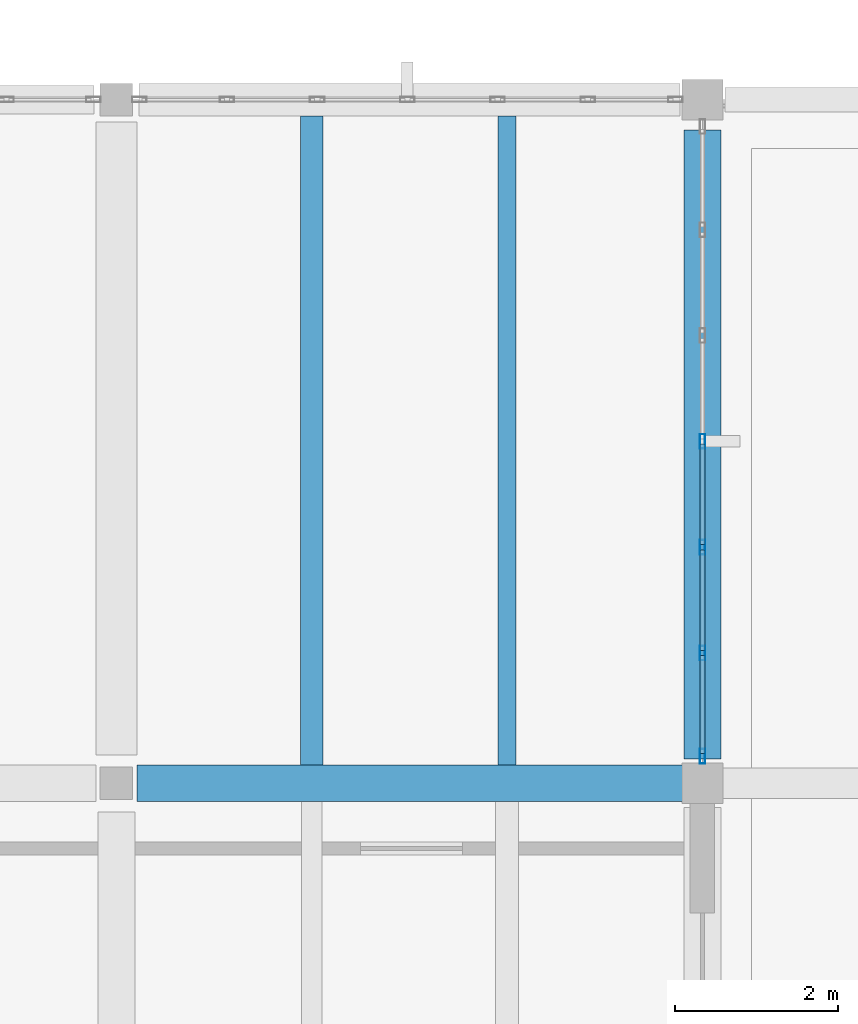
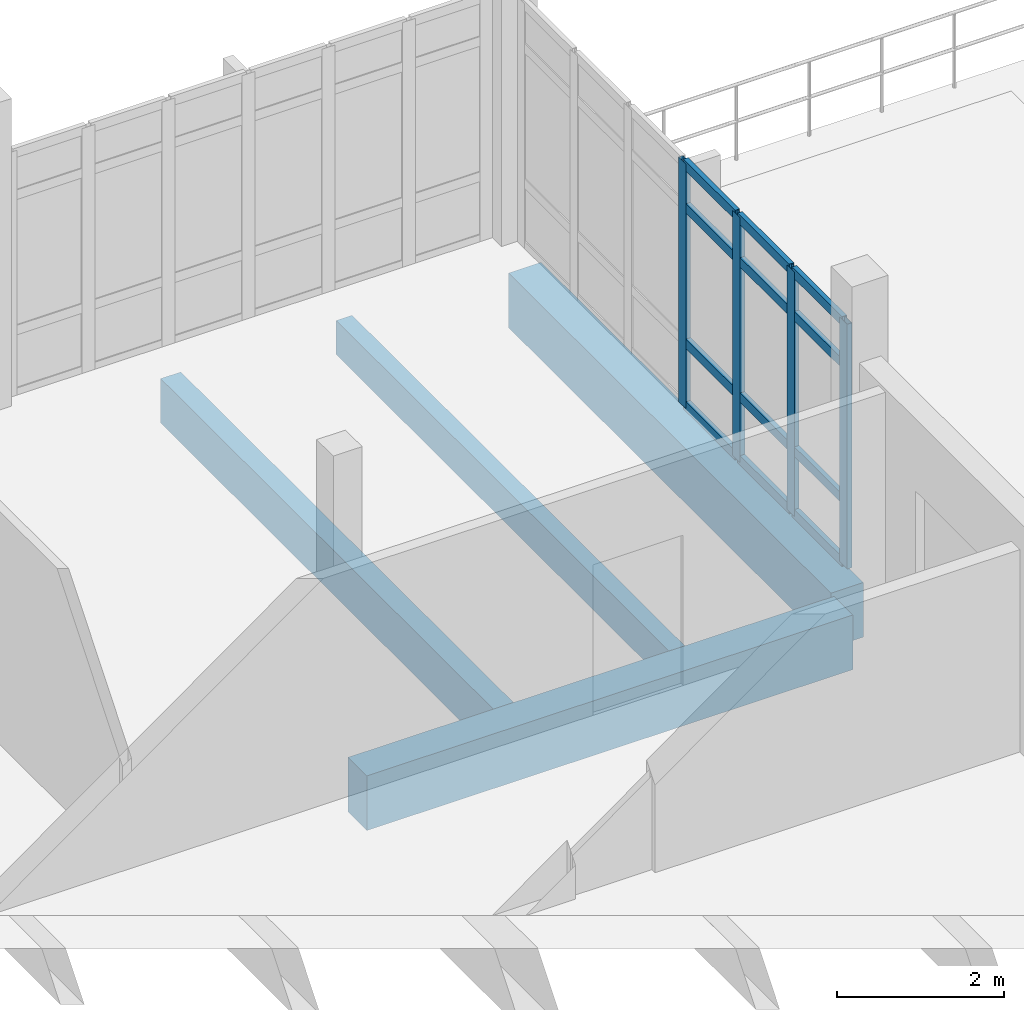
# One storey, part 23 of 41: 16 members, 4 beams, 1 element without a shape of its own.
"""IFC4 building model written with IfcOpenShell, lengths in metres."""

from ifc_helpers import new_model, si_unit, direction, frame, origin, origin_2d, place, context, subcontext, project, spatial, rectangle, hollow_rectangle, extrude, material, material_profile, profile_set, type_object, element, aggregate, save


model = new_model("IFC4")

# Units and contexts
model_context = context("Model", 3, precision=1e-05, world=origin(), true_north=direction((0.0, 1.0)))
body_context = subcontext(model_context, "Body", "Model", "MODEL_VIEW")
ifc_project = project(units=[si_unit("LENGTHUNIT", "METRE"), si_unit("AREAUNIT", "SQUARE_METRE"), si_unit("VOLUMEUNIT", "CUBIC_METRE"), si_unit("PLANEANGLEUNIT", "RADIAN"), si_unit("MASSUNIT", "GRAM", prefix="KILO")], contexts=[model_context])

# Site, building, storey
site_placement = place(None, origin())
site = spatial("IfcSite", under=ifc_project, at=site_placement, CompositionType="ELEMENT")
building_placement = place(site_placement, origin())
building = spatial("IfcBuilding", under=site, at=building_placement, Name="Kalluvel Institute of Natural Sciences", CompositionType="ELEMENT")
storey_placement = place(building_placement, frame((0.0, 0.0, 32.39990234375)))
storey = spatial("IfcBuildingStorey", under=building, at=storey_placement, Name="L07", CompositionType="ELEMENT", Elevation=32.39990234375)

# Beams
ifc_material_1 = material(Name="Concrete M40", Category="concrete")
ifc_material_profile_1 = material_profile(ifc_material_1, rectangle(XDim=0.449951171875, YDim=0.800048828125, at=origin_2d()), Name="RCB 450x800")
ifc_profile_set_1 = profile_set([ifc_material_profile_1], Name="Concrete M40")
beam_type_1 = type_object("IfcBeamType", Name="BM-RC450x800", PredefinedType="BEAM", material=ifc_profile_set_1)
beam_1_placement = place(storey_placement, frame((93.449951171875, 119.60009765625, -0.719970703125), z_axis=(1.0, 0.0, 0.0), x_axis=(0.0, 1.0, 0.0)))
element("IfcBeam", 1, at=beam_1_placement, inside=storey, type_object=beam_type_1, Name="L07 girder GIR-L07-EW-X932-Y1196", PredefinedType="BEAM", context=body_context, shape_type="SweptSolid", body=[
    extrude(rectangle(XDim=0.449951171875, YDim=0.800048828125, at=origin_2d()), origin(), (0.0, 0.0, 1.0), 6.72509765625),
])
beam_2_placement = place(storey_placement, frame((100.39990234375, 119.89990234375, -0.719970703125), z_axis=(0.0, 1.0, 0.0), x_axis=(-1.0, 0.0, 0.0)))
element("IfcBeam", 2, at=beam_2_placement, inside=storey, type_object=beam_type_1, Name="L07 girder GIR-L07-NS-X1004-Y1196", PredefinedType="BEAM", context=body_context, shape_type="SweptSolid", body=[
    extrude(rectangle(XDim=0.449951171875, YDim=0.800048828125, at=origin_2d()), origin(), (0.0, 0.0, 1.0), 7.72509765625),
])

# Curtain wall, members
ifc_material_2 = material(Name="Aluminium AW-6063 T6", Category="aluminium")
curtain_wall_type = type_object("IfcCurtainWallType", Name="CW-WET-45", PredefinedType="USERDEFINED", material=ifc_material_2)
curtain_wall_placement = place(storey_placement, origin())
curtain_wall = element("IfcCurtainWall", 3, at=curtain_wall_placement, inside=storey, type_object=curtain_wall_type, Name="L07 Gothic lancet curtain wall CWA-L07-X1004-Y1199", ObjectType="UNITISED LANCET FACADE", PredefinedType="USERDEFINED")
ifc_material_profile_2 = material_profile(ifc_material_2, hollow_rectangle(XDim=0.06494140625, YDim=0.179931640625, WallThickness=0.00439453125, at=origin_2d()), Name="CWM 65x180")
ifc_profile_set_2 = profile_set([ifc_material_profile_2], Name="Aluminium AW-6063 T6")
member_type_1 = type_object("IfcMemberType", Name="CWM-65x180", PredefinedType="MULLION", material=ifc_profile_set_2)
member_1_placement = place(storey_placement, frame((100.39990234375, 119.9326171875, 0.0), z_axis=(0.0, 0.0, 1.0), x_axis=(-1.0, 0.0, 0.0)))
member_1 = element("IfcMember", 4, at=member_1_placement, type_object=member_type_1, Name="CW-01 mullion 1", PredefinedType="MULLION", context=body_context, shape_type="SweptSolid", body=[
    extrude(hollow_rectangle(XDim=0.06494140625, YDim=0.179931640625, WallThickness=0.00439453125, at=origin_2d()), origin(), (0.0, 0.0, 1.0), 3.580078125),
])
member_2_placement = place(storey_placement, frame((100.39990234375, 121.199951171875, 0.0), z_axis=(0.0, 0.0, 1.0), x_axis=(-1.0, 0.0, 0.0)))
member_2 = element("IfcMember", 5, at=member_2_placement, type_object=member_type_1, Name="CW-01 mullion 2", PredefinedType="MULLION", context=body_context, shape_type="SweptSolid", body=[
    extrude(hollow_rectangle(XDim=0.06494140625, YDim=0.179931640625, WallThickness=0.00439453125, at=origin_2d()), origin(), (0.0, 0.0, 1.0), 3.580078125),
])
member_3_placement = place(storey_placement, frame((100.39990234375, 122.5, 0.0), z_axis=(0.0, 0.0, 1.0), x_axis=(-1.0, 0.0, 0.0)))
member_3 = element("IfcMember", 6, at=member_3_placement, type_object=member_type_1, Name="CW-01 mullion 3", PredefinedType="MULLION", context=body_context, shape_type="SweptSolid", body=[
    extrude(hollow_rectangle(XDim=0.06494140625, YDim=0.179931640625, WallThickness=0.00439453125, at=origin_2d()), origin(), (0.0, 0.0, 1.0), 3.580078125),
])
member_4_placement = place(storey_placement, frame((100.39990234375, 123.800048828125, 0.0), z_axis=(0.0, 0.0, 1.0), x_axis=(-1.0, 0.0, 0.0)))
member_4 = element("IfcMember", 7, at=member_4_placement, type_object=member_type_1, Name="CW-01 mullion 4", PredefinedType="MULLION", context=body_context, shape_type="SweptSolid", body=[
    extrude(hollow_rectangle(XDim=0.06494140625, YDim=0.179931640625, WallThickness=0.00439453125, at=origin_2d()), origin(), (0.0, 0.0, 1.0), 3.580078125),
])
ifc_material_profile_3 = material_profile(ifc_material_2, hollow_rectangle(XDim=0.06494140625, YDim=0.139892578125, WallThickness=0.00439453125, at=origin_2d()), Name="CWT 65x140")
ifc_profile_set_3 = profile_set([ifc_material_profile_3], Name="Aluminium AW-6063 T6")
member_type_2 = type_object("IfcMemberType", Name="CWT-65x140", PredefinedType="USERDEFINED", material=ifc_profile_set_3)
member_5_placement = place(storey_placement, frame((100.39990234375, 119.965087890625, 0.03271484375), z_axis=(0.0, 1.0, 0.0), x_axis=(-1.0, 0.0, 0.0)))
member_5 = element("IfcMember", 8, at=member_5_placement, type_object=member_type_2, Name="CW-01 transom 1.1", ObjectType="TRANSOM", PredefinedType="USERDEFINED", context=body_context, shape_type="SweptSolid", body=[
    extrude(hollow_rectangle(XDim=0.06494140625, YDim=0.139892578125, WallThickness=0.00439453125, at=origin_2d()), origin(), (0.0, 0.0, 1.0), 1.202392578125),
])
member_6_placement = place(storey_placement, frame((100.39990234375, 119.965087890625, 0.9501953125), z_axis=(0.0, 1.0, 0.0), x_axis=(-1.0, 0.0, 0.0)))
member_6 = element("IfcMember", 9, at=member_6_placement, type_object=member_type_2, Name="CW-01 transom 1.2", ObjectType="TRANSOM", PredefinedType="USERDEFINED", context=body_context, shape_type="SweptSolid", body=[
    extrude(hollow_rectangle(XDim=0.06494140625, YDim=0.139892578125, WallThickness=0.00439453125, at=origin_2d()), origin(), (0.0, 0.0, 1.0), 1.202392578125),
])
member_7_placement = place(storey_placement, frame((100.39990234375, 119.965087890625, 2.93017578125), z_axis=(0.0, 1.0, 0.0), x_axis=(-1.0, 0.0, 0.0)))
member_7 = element("IfcMember", 10, at=member_7_placement, type_object=member_type_2, Name="CW-01 transom 1.3", ObjectType="TRANSOM", PredefinedType="USERDEFINED", context=body_context, shape_type="SweptSolid", body=[
    extrude(hollow_rectangle(XDim=0.06494140625, YDim=0.139892578125, WallThickness=0.00439453125, at=origin_2d()), origin(), (0.0, 0.0, 1.0), 1.202392578125),
])
member_8_placement = place(storey_placement, frame((100.39990234375, 119.965087890625, 3.547607421875), z_axis=(0.0, 1.0, 0.0), x_axis=(-1.0, 0.0, 0.0)))
member_8 = element("IfcMember", 11, at=member_8_placement, type_object=member_type_2, Name="CW-01 transom 1.4", ObjectType="TRANSOM", PredefinedType="USERDEFINED", context=body_context, shape_type="SweptSolid", body=[
    extrude(hollow_rectangle(XDim=0.06494140625, YDim=0.139892578125, WallThickness=0.00439453125, at=origin_2d()), origin(), (0.0, 0.0, 1.0), 1.202392578125),
])
member_9_placement = place(storey_placement, frame((100.39990234375, 121.232421875, 0.03271484375), z_axis=(0.0, 1.0, 0.0), x_axis=(-1.0, 0.0, 0.0)))
member_9 = element("IfcMember", 12, at=member_9_placement, type_object=member_type_2, Name="CW-01 transom 2.1", ObjectType="TRANSOM", PredefinedType="USERDEFINED", context=body_context, shape_type="SweptSolid", body=[
    extrude(hollow_rectangle(XDim=0.06494140625, YDim=0.139892578125, WallThickness=0.00439453125, at=origin_2d()), origin(), (0.0, 0.0, 1.0), 1.235107421875),
])
member_10_placement = place(storey_placement, frame((100.39990234375, 121.232421875, 0.9501953125), z_axis=(0.0, 1.0, 0.0), x_axis=(-1.0, 0.0, 0.0)))
member_10 = element("IfcMember", 13, at=member_10_placement, type_object=member_type_2, Name="CW-01 transom 2.2", ObjectType="TRANSOM", PredefinedType="USERDEFINED", context=body_context, shape_type="SweptSolid", body=[
    extrude(hollow_rectangle(XDim=0.06494140625, YDim=0.139892578125, WallThickness=0.00439453125, at=origin_2d()), origin(), (0.0, 0.0, 1.0), 1.235107421875),
])
member_11_placement = place(storey_placement, frame((100.39990234375, 121.232421875, 2.93017578125), z_axis=(0.0, 1.0, 0.0), x_axis=(-1.0, 0.0, 0.0)))
member_11 = element("IfcMember", 14, at=member_11_placement, type_object=member_type_2, Name="CW-01 transom 2.3", ObjectType="TRANSOM", PredefinedType="USERDEFINED", context=body_context, shape_type="SweptSolid", body=[
    extrude(hollow_rectangle(XDim=0.06494140625, YDim=0.139892578125, WallThickness=0.00439453125, at=origin_2d()), origin(), (0.0, 0.0, 1.0), 1.235107421875),
])
member_12_placement = place(storey_placement, frame((100.39990234375, 121.232421875, 3.547607421875), z_axis=(0.0, 1.0, 0.0), x_axis=(-1.0, 0.0, 0.0)))
member_12 = element("IfcMember", 15, at=member_12_placement, type_object=member_type_2, Name="CW-01 transom 2.4", ObjectType="TRANSOM", PredefinedType="USERDEFINED", context=body_context, shape_type="SweptSolid", body=[
    extrude(hollow_rectangle(XDim=0.06494140625, YDim=0.139892578125, WallThickness=0.00439453125, at=origin_2d()), origin(), (0.0, 0.0, 1.0), 1.235107421875),
])
member_13_placement = place(storey_placement, frame((100.39990234375, 122.532470703125, 0.03271484375), z_axis=(0.0, 1.0, 0.0), x_axis=(-1.0, 0.0, 0.0)))
member_13 = element("IfcMember", 16, at=member_13_placement, type_object=member_type_2, Name="CW-01 transom 3.1", ObjectType="TRANSOM", PredefinedType="USERDEFINED", context=body_context, shape_type="SweptSolid", body=[
    extrude(hollow_rectangle(XDim=0.06494140625, YDim=0.139892578125, WallThickness=0.00439453125, at=origin_2d()), origin(), (0.0, 0.0, 1.0), 1.235107421875),
])
member_14_placement = place(storey_placement, frame((100.39990234375, 122.532470703125, 0.9501953125), z_axis=(0.0, 1.0, 0.0), x_axis=(-1.0, 0.0, 0.0)))
member_14 = element("IfcMember", 17, at=member_14_placement, type_object=member_type_2, Name="CW-01 transom 3.2", ObjectType="TRANSOM", PredefinedType="USERDEFINED", context=body_context, shape_type="SweptSolid", body=[
    extrude(hollow_rectangle(XDim=0.06494140625, YDim=0.139892578125, WallThickness=0.00439453125, at=origin_2d()), origin(), (0.0, 0.0, 1.0), 1.235107421875),
])
member_15_placement = place(storey_placement, frame((100.39990234375, 122.532470703125, 2.93017578125), z_axis=(0.0, 1.0, 0.0), x_axis=(-1.0, 0.0, 0.0)))
member_15 = element("IfcMember", 18, at=member_15_placement, type_object=member_type_2, Name="CW-01 transom 3.3", ObjectType="TRANSOM", PredefinedType="USERDEFINED", context=body_context, shape_type="SweptSolid", body=[
    extrude(hollow_rectangle(XDim=0.06494140625, YDim=0.139892578125, WallThickness=0.00439453125, at=origin_2d()), origin(), (0.0, 0.0, 1.0), 1.235107421875),
])
member_16_placement = place(storey_placement, frame((100.39990234375, 122.532470703125, 3.547607421875), z_axis=(0.0, 1.0, 0.0), x_axis=(-1.0, 0.0, 0.0)))
member_16 = element("IfcMember", 19, at=member_16_placement, type_object=member_type_2, Name="CW-01 transom 3.4", ObjectType="TRANSOM", PredefinedType="USERDEFINED", context=body_context, shape_type="SweptSolid", body=[
    extrude(hollow_rectangle(XDim=0.06494140625, YDim=0.139892578125, WallThickness=0.00439453125, at=origin_2d()), origin(), (0.0, 0.0, 1.0), 1.235107421875),
])
aggregate(curtain_wall, [member_1, member_2, member_3, member_4, member_5, member_6, member_7, member_8, member_9, member_10, member_11, member_12, member_13, member_14, member_15, member_16])

# Beams
ifc_material_profile_4 = material_profile(ifc_material_1, rectangle(XDim=0.219970703125, YDim=0.5, at=origin_2d()), Name="WAF 220x500")
ifc_profile_set_4 = profile_set([ifc_material_profile_4], Name="Concrete M40")
beam_type_2 = type_object("IfcBeamType", Name="WJ-220x500", PredefinedType="JOIST", material=ifc_profile_set_4)
beam_3_placement = place(storey_placement, frame((98.0, 119.824951171875, -0.56982421875), z_axis=(0.0, 1.0, 0.0), x_axis=(-1.0, 0.0, 0.0)))
element("IfcBeam", 20, at=beam_3_placement, inside=storey, type_object=beam_type_2, Name="L07 waffle joist RIB-L07-0574", PredefinedType="JOIST", context=body_context, shape_type="SweptSolid", body=[
    extrude(rectangle(XDim=0.219970703125, YDim=0.5, at=origin_2d()), origin(), (0.0, 0.0, 1.0), 7.97509765625),
])
ifc_material_3 = material(Name="Concrete M50", Category="concrete")
ifc_material_profile_5 = material_profile(ifc_material_3, rectangle(XDim=0.280029296875, YDim=0.64990234375, at=origin_2d()), Name="WAF 280x650")
ifc_profile_set_5 = profile_set([ifc_material_profile_5], Name="Concrete M50")
beam_type_3 = type_object("IfcBeamType", Name="WJ-280x650", PredefinedType="JOIST", material=ifc_profile_set_5)
beam_4_placement = place(storey_placement, frame((95.60009765625, 119.824951171875, -0.64501953125), z_axis=(0.0, 1.0, 0.0), x_axis=(-1.0, 0.0, 0.0)))
element("IfcBeam", 21, at=beam_4_placement, inside=storey, type_object=beam_type_3, Name="L07 waffle joist RIB-L07-0573", PredefinedType="JOIST", context=body_context, shape_type="SweptSolid", body=[
    extrude(rectangle(XDim=0.280029296875, YDim=0.64990234375, at=origin_2d()), origin(), (0.0, 0.0, 1.0), 7.97509765625),
])

save(model, "model.ifc")
